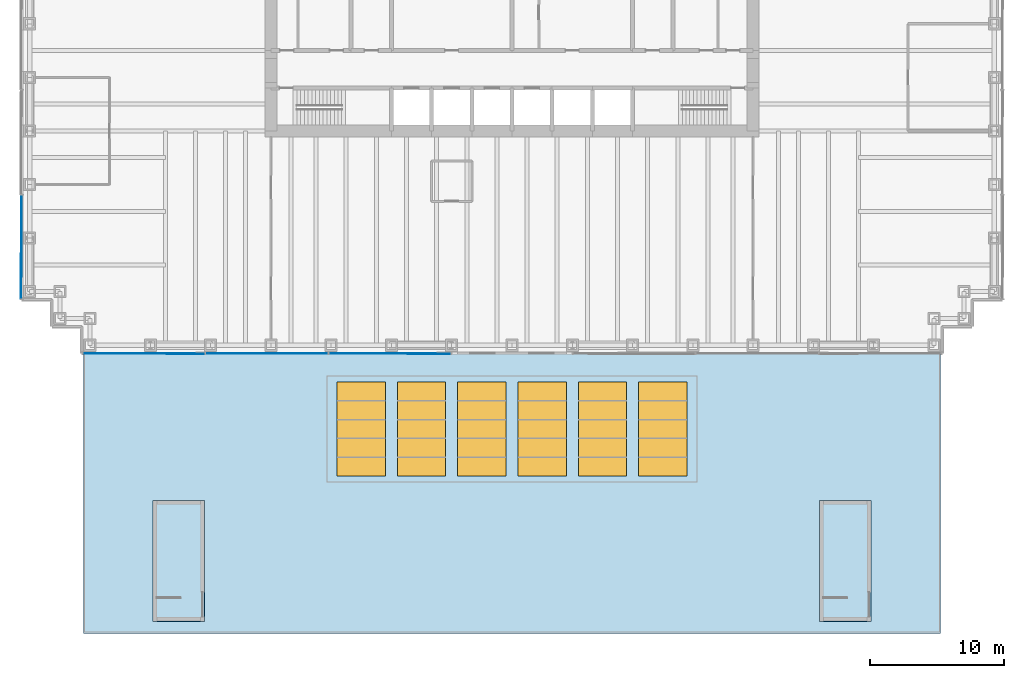
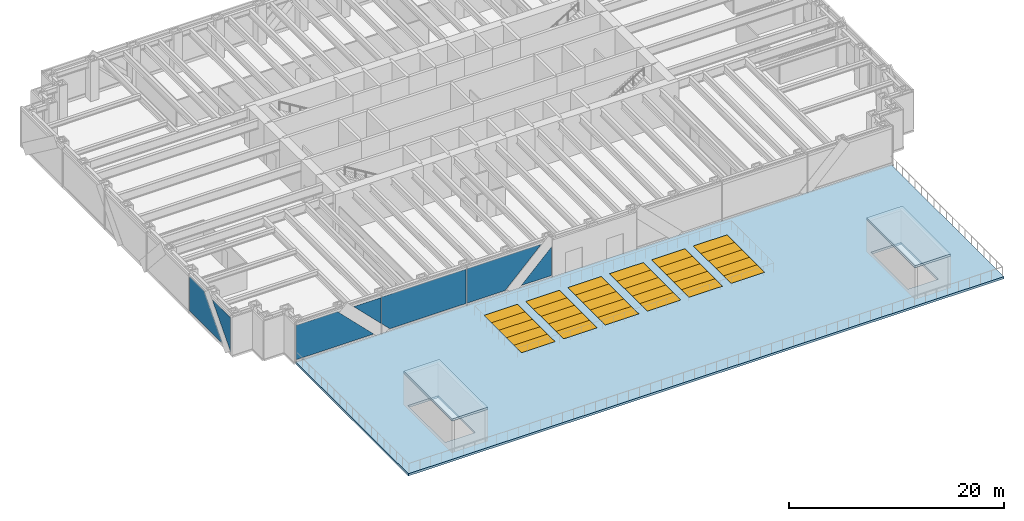
# One storey, part 9 of 15: 30 windows, 7 plates, 3 slabs, 30 openings, 2 elements without a shape of their own.
"""IFC4 building model written with IfcOpenShell, lengths in metres."""

from ifc_helpers import new_model, si_unit, direction, frame, origin, origin_2d, place, context, subcontext, project, spatial, polyline, rectangle, outline, extrude, material, layer, layer_set, type_object, element, fill, aggregate, save


model = new_model("IFC4")

# Units and contexts
model_context = context("Model", 3, precision=1e-05, world=origin(), true_north=direction((0.0, 1.0)))
body_context = subcontext(model_context, "Body", "Model", "MODEL_VIEW")
ifc_project = project(units=[si_unit("LENGTHUNIT", "METRE"), si_unit("AREAUNIT", "SQUARE_METRE"), si_unit("VOLUMEUNIT", "CUBIC_METRE"), si_unit("PLANEANGLEUNIT", "RADIAN"), si_unit("MASSUNIT", "GRAM", prefix="KILO")], contexts=[model_context])

# Site, building, storey
site_placement = place(None, origin())
site = spatial("IfcSite", under=ifc_project, at=site_placement, CompositionType="ELEMENT")
building_placement = place(site_placement, origin())
building = spatial("IfcBuilding", under=site, at=building_placement, Name="Rheinbord Bourse Tower", CompositionType="ELEMENT")
storey_placement = place(building_placement, frame((0.0, 0.0, 23.0)))
storey = spatial("IfcBuildingStorey", under=building, at=storey_placement, Name="L04", CompositionType="ELEMENT", Elevation=23.0)

# Curtain wall, plates
ifc_material_1 = material(Name="Dark glass and black aluminium", Category="aluminium")
curtain_wall_type = type_object("IfcCurtainWallType", Name="CW1 DARK GLASS CURTAIN WALL", PredefinedType="USERDEFINED", material=ifc_material_1)
curtain_wall_1_placement = place(storey_placement, origin())
curtain_wall_1 = element("IfcCurtainWall", 1, at=curtain_wall_1_placement, inside=storey, type_object=curtain_wall_type, Name="Curtain wall CW1 S L04", ObjectType="UNITISED CURTAIN WALL", PredefinedType="USERDEFINED")
ifc_material_2 = material(Name="Dark tinted triple insulating glass", Category="glass")
ifc_layer_1 = layer(ifc_material_2, 0.0439453125)
ifc_layer_set_1 = layer_set([ifc_layer_1], Name="CW1 DARK GLASS PANEL")
plate_type = type_object("IfcPlateType", Name="CW1 DARK GLASS PANEL", PredefinedType="CURTAIN_PANEL", material=ifc_layer_set_1)
plate_1_placement = place(storey_placement, frame((3.97998046875, -0.6220703125, 0.300048828125), z_axis=(0.0, 1.0, 0.0), x_axis=(0.0, 0.0, 1.0)))
plate_1 = element("IfcPlate", 2, at=plate_1_placement, type_object=plate_type, Name="CW1 glass facet 1", PredefinedType="CURTAIN_PANEL", context=body_context, shape_type="SweptSolid", body=[
    extrude(outline(polyline([(0.0, 0.0), (3.89990234375, 0.0), (3.89990234375, 4.464111328125), (0.0, 8.364013671875), (0.0, 0.0)])), origin(), (0.0, 0.0, 1.0), 0.0439453125),
])
plate_2_placement = place(storey_placement, frame((13.06005859375, -0.6708984375, 4.199951171875), z_axis=(0.0, 1.0, 0.0), x_axis=(0.0, 0.0, -1.0)))
plate_2 = element("IfcPlate", 3, at=plate_2_placement, type_object=plate_type, Name="CW1 glass facet 2", PredefinedType="CURTAIN_PANEL", context=body_context, shape_type="SweptSolid", body=[
    extrude(outline(polyline([(0.0, 0.0), (2.904052734375, 0.0), (0.0, 2.904052734375), (0.0, 0.0)])), origin(), (0.0, 0.0, 1.0), 0.0439453125),
])
plate_3_placement = place(storey_placement, frame((13.139892578125, -0.6220703125, 4.199951171875), z_axis=(0.0, 1.0, 0.0), x_axis=(1.0, 0.0, 0.0)))
plate_3 = element("IfcPlate", 4, at=plate_3_placement, type_object=plate_type, Name="CW1 glass facet 1", PredefinedType="CURTAIN_PANEL", context=body_context, shape_type="SweptSolid", body=[
    extrude(outline(polyline([(0.0, 0.0), (9.1201171875, 0.0), (9.1201171875, 3.89990234375), (0.916015625, 3.89990234375), (0.0, 2.98388671875), (0.0, 0.0)])), origin(), (0.0, 0.0, 1.0), 0.0439453125),
])
plate_4_placement = place(storey_placement, frame((22.340087890625, -0.6220703125, 0.300048828125), z_axis=(0.0, 1.0, 0.0), x_axis=(0.0, 0.0, 1.0)))
plate_4 = element("IfcPlate", 5, at=plate_4_placement, type_object=plate_type, Name="CW1 glass facet 1", PredefinedType="CURTAIN_PANEL", context=body_context, shape_type="SweptSolid", body=[
    extrude(outline(polyline([(0.0, 0.0), (3.89990234375, 0.0), (3.89990234375, 8.00390625), (0.0, 4.10400390625), (0.0, 0.0)])), origin(), (0.0, 0.0, 1.0), 0.0439453125),
])
plate_5_placement = place(storey_placement, frame((31.419921875, -0.6708984375, 0.300048828125), z_axis=(0.0, 1.0, 0.0), x_axis=(-1.0, 0.0, 0.0)))
plate_5 = element("IfcPlate", 6, at=plate_5_placement, type_object=plate_type, Name="CW1 glass facet 2", PredefinedType="CURTAIN_PANEL", context=body_context, shape_type="SweptSolid", body=[
    extrude(outline(polyline([(0.0, 0.0), (3.263916015625, 0.0), (0.0, 3.263916015625), (0.0, 0.0)])), origin(), (0.0, 0.0, 1.0), 0.0439453125),
])
aggregate(curtain_wall_1, [plate_1, plate_2, plate_3, plate_4, plate_5])

curtain_wall_2_placement = place(storey_placement, origin())
curtain_wall_2 = element("IfcCurtainWall", 7, at=curtain_wall_2_placement, inside=storey, type_object=curtain_wall_type, Name="Curtain wall CW1 W L04", ObjectType="UNITISED CURTAIN WALL", PredefinedType="USERDEFINED")
plate_6_placement = place(storey_placement, frame((-0.6220703125, 11.199951171875, 0.300048828125), z_axis=(1.0, 0.0, 0.0), x_axis=(0.0, 0.0, 1.0)))
plate_6 = element("IfcPlate", 8, at=plate_6_placement, type_object=plate_type, Name="CW1 glass facet 1", PredefinedType="CURTAIN_PANEL", context=body_context, shape_type="SweptSolid", body=[
    extrude(outline(polyline([(0.0, 0.0), (3.89990234375, 0.0), (3.89990234375, 2.656982421875), (0.0, 6.1240234375), (0.0, 0.0)])), origin(), (0.0, 0.0, 1.0), 0.0439453125),
])
plate_7_placement = place(storey_placement, frame((-0.6708984375, 3.47998046875, 4.199951171875), z_axis=(1.0, 0.0, 0.0), x_axis=(0.0, 0.0, -1.0)))
plate_7 = element("IfcPlate", 9, at=plate_7_placement, type_object=plate_type, Name="CW1 glass facet 2", PredefinedType="CURTAIN_PANEL", context=body_context, shape_type="SweptSolid", body=[
    extrude(outline(polyline([(0.0, 0.0), (3.8740234375, 0.0), (0.0, 3.444091796875), (0.0, 0.0)])), origin(), (0.0, 0.0, 1.0), 0.0439453125),
])
aggregate(curtain_wall_2, [plate_6, plate_7])

# Slab, openings, windows
ifc_material_3 = material(Name="Concrete C30/37", Category="concrete")
ifc_layer_2 = layer(ifc_material_3, 0.25)
ifc_layer_set_2 = layer_set([ifc_layer_2], Name="ROOF SLAB 250")
slab_type = type_object("IfcSlabType", Name="ROOF SLAB 250", PredefinedType="ROOF", material=ifc_layer_set_2)
slab_1_placement = place(storey_placement, frame((0.0, 0.0, -0.25)))
slab_1 = element("IfcSlab", 10, at=slab_1_placement, inside=storey, type_object=slab_type, Name="Podium roof terrace", PredefinedType="ROOF", context=body_context, shape_type="SweptSolid", body=[
    extrude(outline(polyline([(68.0, -21.5), (68.0, -0.5), (4.0, -0.5), (4.0, -21.5), (68.0, -21.5)]), holes=[polyline([(12.75, -18.800048828125), (12.75, -11.89990234375), (9.5, -11.89990234375), (9.5, -18.800048828125), (12.75, -18.800048828125)]), polyline([(62.5, -18.800048828125), (62.5, -11.89990234375), (59.25, -11.89990234375), (59.25, -18.800048828125), (62.5, -18.800048828125)])]), origin(), (0.0, 0.0, 1.0), 0.25),
])
opening_1_placement = place(slab_1_placement, frame((24.75, -9.050048828125, 0.0)))
opening_1 = element("IfcOpeningElement", 11, at=opening_1_placement, cuts=slab_1, Name="Opening SK1", PredefinedType="OPENING", context=body_context, shape_type="SweptSolid", body=[
    extrude(rectangle(XDim=3.60009765625, YDim=1.39990234375, at=origin_2d()), origin(), (0.0, 0.0, 1.0), 0.25),
])
opening_2_placement = place(slab_1_placement, frame((24.75, -7.64990234375, 0.0)))
opening_2 = element("IfcOpeningElement", 12, at=opening_2_placement, cuts=slab_1, Name="Opening SK1", PredefinedType="OPENING", context=body_context, shape_type="SweptSolid", body=[
    extrude(rectangle(XDim=3.60009765625, YDim=1.39990234375, at=origin_2d()), origin(), (0.0, 0.0, 1.0), 0.25),
])
opening_3_placement = place(slab_1_placement, frame((24.75, -6.25, 0.0)))
opening_3 = element("IfcOpeningElement", 13, at=opening_3_placement, cuts=slab_1, Name="Opening SK1", PredefinedType="OPENING", context=body_context, shape_type="SweptSolid", body=[
    extrude(rectangle(XDim=3.60009765625, YDim=1.39990234375, at=origin_2d()), origin(), (0.0, 0.0, 1.0), 0.25),
])
opening_4_placement = place(slab_1_placement, frame((24.75, -4.85009765625, 0.0)))
opening_4 = element("IfcOpeningElement", 14, at=opening_4_placement, cuts=slab_1, Name="Opening SK1", PredefinedType="OPENING", context=body_context, shape_type="SweptSolid", body=[
    extrude(rectangle(XDim=3.60009765625, YDim=1.39990234375, at=origin_2d()), origin(), (0.0, 0.0, 1.0), 0.25),
])
opening_5_placement = place(slab_1_placement, frame((24.75, -3.449951171875, 0.0)))
opening_5 = element("IfcOpeningElement", 15, at=opening_5_placement, cuts=slab_1, Name="Opening SK1", PredefinedType="OPENING", context=body_context, shape_type="SweptSolid", body=[
    extrude(rectangle(XDim=3.60009765625, YDim=1.39990234375, at=origin_2d()), origin(), (0.0, 0.0, 1.0), 0.25),
])
opening_6_placement = place(slab_1_placement, frame((29.25, -9.050048828125, 0.0)))
opening_6 = element("IfcOpeningElement", 16, at=opening_6_placement, cuts=slab_1, Name="Opening SK1", PredefinedType="OPENING", context=body_context, shape_type="SweptSolid", body=[
    extrude(rectangle(XDim=3.60009765625, YDim=1.39990234375, at=origin_2d()), origin(), (0.0, 0.0, 1.0), 0.25),
])
opening_7_placement = place(slab_1_placement, frame((29.25, -7.64990234375, 0.0)))
opening_7 = element("IfcOpeningElement", 17, at=opening_7_placement, cuts=slab_1, Name="Opening SK1", PredefinedType="OPENING", context=body_context, shape_type="SweptSolid", body=[
    extrude(rectangle(XDim=3.60009765625, YDim=1.39990234375, at=origin_2d()), origin(), (0.0, 0.0, 1.0), 0.25),
])
opening_8_placement = place(slab_1_placement, frame((29.25, -6.25, 0.0)))
opening_8 = element("IfcOpeningElement", 18, at=opening_8_placement, cuts=slab_1, Name="Opening SK1", PredefinedType="OPENING", context=body_context, shape_type="SweptSolid", body=[
    extrude(rectangle(XDim=3.60009765625, YDim=1.39990234375, at=origin_2d()), origin(), (0.0, 0.0, 1.0), 0.25),
])
opening_9_placement = place(slab_1_placement, frame((29.25, -4.85009765625, 0.0)))
opening_9 = element("IfcOpeningElement", 19, at=opening_9_placement, cuts=slab_1, Name="Opening SK1", PredefinedType="OPENING", context=body_context, shape_type="SweptSolid", body=[
    extrude(rectangle(XDim=3.60009765625, YDim=1.39990234375, at=origin_2d()), origin(), (0.0, 0.0, 1.0), 0.25),
])
opening_10_placement = place(slab_1_placement, frame((29.25, -3.449951171875, 0.0)))
opening_10 = element("IfcOpeningElement", 20, at=opening_10_placement, cuts=slab_1, Name="Opening SK1", PredefinedType="OPENING", context=body_context, shape_type="SweptSolid", body=[
    extrude(rectangle(XDim=3.60009765625, YDim=1.39990234375, at=origin_2d()), origin(), (0.0, 0.0, 1.0), 0.25),
])
opening_11_placement = place(slab_1_placement, frame((33.75, -9.050048828125, 0.0)))
opening_11 = element("IfcOpeningElement", 21, at=opening_11_placement, cuts=slab_1, Name="Opening SK1", PredefinedType="OPENING", context=body_context, shape_type="SweptSolid", body=[
    extrude(rectangle(XDim=3.60009765625, YDim=1.39990234375, at=origin_2d()), origin(), (0.0, 0.0, 1.0), 0.25),
])
opening_12_placement = place(slab_1_placement, frame((33.75, -7.64990234375, 0.0)))
opening_12 = element("IfcOpeningElement", 22, at=opening_12_placement, cuts=slab_1, Name="Opening SK1", PredefinedType="OPENING", context=body_context, shape_type="SweptSolid", body=[
    extrude(rectangle(XDim=3.60009765625, YDim=1.39990234375, at=origin_2d()), origin(), (0.0, 0.0, 1.0), 0.25),
])
opening_13_placement = place(slab_1_placement, frame((33.75, -6.25, 0.0)))
opening_13 = element("IfcOpeningElement", 23, at=opening_13_placement, cuts=slab_1, Name="Opening SK1", PredefinedType="OPENING", context=body_context, shape_type="SweptSolid", body=[
    extrude(rectangle(XDim=3.60009765625, YDim=1.39990234375, at=origin_2d()), origin(), (0.0, 0.0, 1.0), 0.25),
])
opening_14_placement = place(slab_1_placement, frame((33.75, -4.85009765625, 0.0)))
opening_14 = element("IfcOpeningElement", 24, at=opening_14_placement, cuts=slab_1, Name="Opening SK1", PredefinedType="OPENING", context=body_context, shape_type="SweptSolid", body=[
    extrude(rectangle(XDim=3.60009765625, YDim=1.39990234375, at=origin_2d()), origin(), (0.0, 0.0, 1.0), 0.25),
])
opening_15_placement = place(slab_1_placement, frame((33.75, -3.449951171875, 0.0)))
opening_15 = element("IfcOpeningElement", 25, at=opening_15_placement, cuts=slab_1, Name="Opening SK1", PredefinedType="OPENING", context=body_context, shape_type="SweptSolid", body=[
    extrude(rectangle(XDim=3.60009765625, YDim=1.39990234375, at=origin_2d()), origin(), (0.0, 0.0, 1.0), 0.25),
])
opening_16_placement = place(slab_1_placement, frame((38.25, -9.050048828125, 0.0)))
opening_16 = element("IfcOpeningElement", 26, at=opening_16_placement, cuts=slab_1, Name="Opening SK1", PredefinedType="OPENING", context=body_context, shape_type="SweptSolid", body=[
    extrude(rectangle(XDim=3.60009765625, YDim=1.39990234375, at=origin_2d()), origin(), (0.0, 0.0, 1.0), 0.25),
])
opening_17_placement = place(slab_1_placement, frame((38.25, -7.64990234375, 0.0)))
opening_17 = element("IfcOpeningElement", 27, at=opening_17_placement, cuts=slab_1, Name="Opening SK1", PredefinedType="OPENING", context=body_context, shape_type="SweptSolid", body=[
    extrude(rectangle(XDim=3.60009765625, YDim=1.39990234375, at=origin_2d()), origin(), (0.0, 0.0, 1.0), 0.25),
])
opening_18_placement = place(slab_1_placement, frame((38.25, -6.25, 0.0)))
opening_18 = element("IfcOpeningElement", 28, at=opening_18_placement, cuts=slab_1, Name="Opening SK1", PredefinedType="OPENING", context=body_context, shape_type="SweptSolid", body=[
    extrude(rectangle(XDim=3.60009765625, YDim=1.39990234375, at=origin_2d()), origin(), (0.0, 0.0, 1.0), 0.25),
])
opening_19_placement = place(slab_1_placement, frame((38.25, -4.85009765625, 0.0)))
opening_19 = element("IfcOpeningElement", 29, at=opening_19_placement, cuts=slab_1, Name="Opening SK1", PredefinedType="OPENING", context=body_context, shape_type="SweptSolid", body=[
    extrude(rectangle(XDim=3.60009765625, YDim=1.39990234375, at=origin_2d()), origin(), (0.0, 0.0, 1.0), 0.25),
])
opening_20_placement = place(slab_1_placement, frame((38.25, -3.449951171875, 0.0)))
opening_20 = element("IfcOpeningElement", 30, at=opening_20_placement, cuts=slab_1, Name="Opening SK1", PredefinedType="OPENING", context=body_context, shape_type="SweptSolid", body=[
    extrude(rectangle(XDim=3.60009765625, YDim=1.39990234375, at=origin_2d()), origin(), (0.0, 0.0, 1.0), 0.25),
])
opening_21_placement = place(slab_1_placement, frame((42.75, -9.050048828125, 0.0)))
opening_21 = element("IfcOpeningElement", 31, at=opening_21_placement, cuts=slab_1, Name="Opening SK1", PredefinedType="OPENING", context=body_context, shape_type="SweptSolid", body=[
    extrude(rectangle(XDim=3.60009765625, YDim=1.39990234375, at=origin_2d()), origin(), (0.0, 0.0, 1.0), 0.25),
])
opening_22_placement = place(slab_1_placement, frame((42.75, -7.64990234375, 0.0)))
opening_22 = element("IfcOpeningElement", 32, at=opening_22_placement, cuts=slab_1, Name="Opening SK1", PredefinedType="OPENING", context=body_context, shape_type="SweptSolid", body=[
    extrude(rectangle(XDim=3.60009765625, YDim=1.39990234375, at=origin_2d()), origin(), (0.0, 0.0, 1.0), 0.25),
])
opening_23_placement = place(slab_1_placement, frame((42.75, -6.25, 0.0)))
opening_23 = element("IfcOpeningElement", 33, at=opening_23_placement, cuts=slab_1, Name="Opening SK1", PredefinedType="OPENING", context=body_context, shape_type="SweptSolid", body=[
    extrude(rectangle(XDim=3.60009765625, YDim=1.39990234375, at=origin_2d()), origin(), (0.0, 0.0, 1.0), 0.25),
])
opening_24_placement = place(slab_1_placement, frame((42.75, -4.85009765625, 0.0)))
opening_24 = element("IfcOpeningElement", 34, at=opening_24_placement, cuts=slab_1, Name="Opening SK1", PredefinedType="OPENING", context=body_context, shape_type="SweptSolid", body=[
    extrude(rectangle(XDim=3.60009765625, YDim=1.39990234375, at=origin_2d()), origin(), (0.0, 0.0, 1.0), 0.25),
])
opening_25_placement = place(slab_1_placement, frame((42.75, -3.449951171875, 0.0)))
opening_25 = element("IfcOpeningElement", 35, at=opening_25_placement, cuts=slab_1, Name="Opening SK1", PredefinedType="OPENING", context=body_context, shape_type="SweptSolid", body=[
    extrude(rectangle(XDim=3.60009765625, YDim=1.39990234375, at=origin_2d()), origin(), (0.0, 0.0, 1.0), 0.25),
])
opening_26_placement = place(slab_1_placement, frame((47.25, -9.050048828125, 0.0)))
opening_26 = element("IfcOpeningElement", 36, at=opening_26_placement, cuts=slab_1, Name="Opening SK1", PredefinedType="OPENING", context=body_context, shape_type="SweptSolid", body=[
    extrude(rectangle(XDim=3.60009765625, YDim=1.39990234375, at=origin_2d()), origin(), (0.0, 0.0, 1.0), 0.25),
])
opening_27_placement = place(slab_1_placement, frame((47.25, -7.64990234375, 0.0)))
opening_27 = element("IfcOpeningElement", 37, at=opening_27_placement, cuts=slab_1, Name="Opening SK1", PredefinedType="OPENING", context=body_context, shape_type="SweptSolid", body=[
    extrude(rectangle(XDim=3.60009765625, YDim=1.39990234375, at=origin_2d()), origin(), (0.0, 0.0, 1.0), 0.25),
])
opening_28_placement = place(slab_1_placement, frame((47.25, -6.25, 0.0)))
opening_28 = element("IfcOpeningElement", 38, at=opening_28_placement, cuts=slab_1, Name="Opening SK1", PredefinedType="OPENING", context=body_context, shape_type="SweptSolid", body=[
    extrude(rectangle(XDim=3.60009765625, YDim=1.39990234375, at=origin_2d()), origin(), (0.0, 0.0, 1.0), 0.25),
])
opening_29_placement = place(slab_1_placement, frame((47.25, -4.85009765625, 0.0)))
opening_29 = element("IfcOpeningElement", 39, at=opening_29_placement, cuts=slab_1, Name="Opening SK1", PredefinedType="OPENING", context=body_context, shape_type="SweptSolid", body=[
    extrude(rectangle(XDim=3.60009765625, YDim=1.39990234375, at=origin_2d()), origin(), (0.0, 0.0, 1.0), 0.25),
])
opening_30_placement = place(slab_1_placement, frame((47.25, -3.449951171875, 0.0)))
opening_30 = element("IfcOpeningElement", 40, at=opening_30_placement, cuts=slab_1, Name="Opening SK1", PredefinedType="OPENING", context=body_context, shape_type="SweptSolid", body=[
    extrude(rectangle(XDim=3.60009765625, YDim=1.39990234375, at=origin_2d()), origin(), (0.0, 0.0, 1.0), 0.25),
])
ifc_material_4 = material(Name="Dark tinted insulating glass", Category="glass")
window_type = type_object("IfcWindowType", Name="SKYLIGHT 3600x1400", PartitioningType="SINGLE_PANEL", PredefinedType="SKYLIGHT", material=ifc_material_4)
window_1_placement = place(opening_1_placement, frame((0.0, 0.0, 0.199951171875)))
window_1 = element("IfcWindow", 41, at=window_1_placement, inside=storey, type_object=window_type, Name="Atrium skylight 1 pane 1", OverallHeight=1.39990234375, OverallWidth=3.60009765625, PartitioningType="SINGLE_PANEL", PredefinedType="SKYLIGHT", context=body_context, shape_type="SweptSolid", body=[
    extrude(rectangle(XDim=3.60009765625, YDim=1.39990234375, at=origin_2d()), origin(), (0.0, 0.0, 1.0), 0.050048828125),
])
fill(opening_1, window_1)
window_2_placement = place(opening_2_placement, frame((0.0, 0.0, 0.199951171875)))
window_2 = element("IfcWindow", 42, at=window_2_placement, inside=storey, type_object=window_type, Name="Atrium skylight 1 pane 2", OverallHeight=1.39990234375, OverallWidth=3.60009765625, PartitioningType="SINGLE_PANEL", PredefinedType="SKYLIGHT", context=body_context, shape_type="SweptSolid", body=[
    extrude(rectangle(XDim=3.60009765625, YDim=1.39990234375, at=origin_2d()), origin(), (0.0, 0.0, 1.0), 0.050048828125),
])
fill(opening_2, window_2)
window_3_placement = place(opening_3_placement, frame((0.0, 0.0, 0.199951171875)))
window_3 = element("IfcWindow", 43, at=window_3_placement, inside=storey, type_object=window_type, Name="Atrium skylight 1 pane 3", OverallHeight=1.39990234375, OverallWidth=3.60009765625, PartitioningType="SINGLE_PANEL", PredefinedType="SKYLIGHT", context=body_context, shape_type="SweptSolid", body=[
    extrude(rectangle(XDim=3.60009765625, YDim=1.39990234375, at=origin_2d()), origin(), (0.0, 0.0, 1.0), 0.050048828125),
])
fill(opening_3, window_3)
window_4_placement = place(opening_4_placement, frame((0.0, 0.0, 0.199951171875)))
window_4 = element("IfcWindow", 44, at=window_4_placement, inside=storey, type_object=window_type, Name="Atrium skylight 1 pane 4", OverallHeight=1.39990234375, OverallWidth=3.60009765625, PartitioningType="SINGLE_PANEL", PredefinedType="SKYLIGHT", context=body_context, shape_type="SweptSolid", body=[
    extrude(rectangle(XDim=3.60009765625, YDim=1.39990234375, at=origin_2d()), origin(), (0.0, 0.0, 1.0), 0.050048828125),
])
fill(opening_4, window_4)
window_5_placement = place(opening_5_placement, frame((0.0, 0.0, 0.199951171875)))
window_5 = element("IfcWindow", 45, at=window_5_placement, inside=storey, type_object=window_type, Name="Atrium skylight 1 pane 5", OverallHeight=1.39990234375, OverallWidth=3.60009765625, PartitioningType="SINGLE_PANEL", PredefinedType="SKYLIGHT", context=body_context, shape_type="SweptSolid", body=[
    extrude(rectangle(XDim=3.60009765625, YDim=1.39990234375, at=origin_2d()), origin(), (0.0, 0.0, 1.0), 0.050048828125),
])
fill(opening_5, window_5)
window_6_placement = place(opening_6_placement, frame((0.0, 0.0, 0.199951171875)))
window_6 = element("IfcWindow", 46, at=window_6_placement, inside=storey, type_object=window_type, Name="Atrium skylight 2 pane 1", OverallHeight=1.39990234375, OverallWidth=3.60009765625, PartitioningType="SINGLE_PANEL", PredefinedType="SKYLIGHT", context=body_context, shape_type="SweptSolid", body=[
    extrude(rectangle(XDim=3.60009765625, YDim=1.39990234375, at=origin_2d()), origin(), (0.0, 0.0, 1.0), 0.050048828125),
])
fill(opening_6, window_6)
window_7_placement = place(opening_7_placement, frame((0.0, 0.0, 0.199951171875)))
window_7 = element("IfcWindow", 47, at=window_7_placement, inside=storey, type_object=window_type, Name="Atrium skylight 2 pane 2", OverallHeight=1.39990234375, OverallWidth=3.60009765625, PartitioningType="SINGLE_PANEL", PredefinedType="SKYLIGHT", context=body_context, shape_type="SweptSolid", body=[
    extrude(rectangle(XDim=3.60009765625, YDim=1.39990234375, at=origin_2d()), origin(), (0.0, 0.0, 1.0), 0.050048828125),
])
fill(opening_7, window_7)
window_8_placement = place(opening_8_placement, frame((0.0, 0.0, 0.199951171875)))
window_8 = element("IfcWindow", 48, at=window_8_placement, inside=storey, type_object=window_type, Name="Atrium skylight 2 pane 3", OverallHeight=1.39990234375, OverallWidth=3.60009765625, PartitioningType="SINGLE_PANEL", PredefinedType="SKYLIGHT", context=body_context, shape_type="SweptSolid", body=[
    extrude(rectangle(XDim=3.60009765625, YDim=1.39990234375, at=origin_2d()), origin(), (0.0, 0.0, 1.0), 0.050048828125),
])
fill(opening_8, window_8)
window_9_placement = place(opening_9_placement, frame((0.0, 0.0, 0.199951171875)))
window_9 = element("IfcWindow", 49, at=window_9_placement, inside=storey, type_object=window_type, Name="Atrium skylight 2 pane 4", OverallHeight=1.39990234375, OverallWidth=3.60009765625, PartitioningType="SINGLE_PANEL", PredefinedType="SKYLIGHT", context=body_context, shape_type="SweptSolid", body=[
    extrude(rectangle(XDim=3.60009765625, YDim=1.39990234375, at=origin_2d()), origin(), (0.0, 0.0, 1.0), 0.050048828125),
])
fill(opening_9, window_9)
window_10_placement = place(opening_10_placement, frame((0.0, 0.0, 0.199951171875)))
window_10 = element("IfcWindow", 50, at=window_10_placement, inside=storey, type_object=window_type, Name="Atrium skylight 2 pane 5", OverallHeight=1.39990234375, OverallWidth=3.60009765625, PartitioningType="SINGLE_PANEL", PredefinedType="SKYLIGHT", context=body_context, shape_type="SweptSolid", body=[
    extrude(rectangle(XDim=3.60009765625, YDim=1.39990234375, at=origin_2d()), origin(), (0.0, 0.0, 1.0), 0.050048828125),
])
fill(opening_10, window_10)
window_11_placement = place(opening_11_placement, frame((0.0, 0.0, 0.199951171875)))
window_11 = element("IfcWindow", 51, at=window_11_placement, inside=storey, type_object=window_type, Name="Atrium skylight 3 pane 1", OverallHeight=1.39990234375, OverallWidth=3.60009765625, PartitioningType="SINGLE_PANEL", PredefinedType="SKYLIGHT", context=body_context, shape_type="SweptSolid", body=[
    extrude(rectangle(XDim=3.60009765625, YDim=1.39990234375, at=origin_2d()), origin(), (0.0, 0.0, 1.0), 0.050048828125),
])
fill(opening_11, window_11)
window_12_placement = place(opening_12_placement, frame((0.0, 0.0, 0.199951171875)))
window_12 = element("IfcWindow", 52, at=window_12_placement, inside=storey, type_object=window_type, Name="Atrium skylight 3 pane 2", OverallHeight=1.39990234375, OverallWidth=3.60009765625, PartitioningType="SINGLE_PANEL", PredefinedType="SKYLIGHT", context=body_context, shape_type="SweptSolid", body=[
    extrude(rectangle(XDim=3.60009765625, YDim=1.39990234375, at=origin_2d()), origin(), (0.0, 0.0, 1.0), 0.050048828125),
])
fill(opening_12, window_12)
window_13_placement = place(opening_13_placement, frame((0.0, 0.0, 0.199951171875)))
window_13 = element("IfcWindow", 53, at=window_13_placement, inside=storey, type_object=window_type, Name="Atrium skylight 3 pane 3", OverallHeight=1.39990234375, OverallWidth=3.60009765625, PartitioningType="SINGLE_PANEL", PredefinedType="SKYLIGHT", context=body_context, shape_type="SweptSolid", body=[
    extrude(rectangle(XDim=3.60009765625, YDim=1.39990234375, at=origin_2d()), origin(), (0.0, 0.0, 1.0), 0.050048828125),
])
fill(opening_13, window_13)
window_14_placement = place(opening_14_placement, frame((0.0, 0.0, 0.199951171875)))
window_14 = element("IfcWindow", 54, at=window_14_placement, inside=storey, type_object=window_type, Name="Atrium skylight 3 pane 4", OverallHeight=1.39990234375, OverallWidth=3.60009765625, PartitioningType="SINGLE_PANEL", PredefinedType="SKYLIGHT", context=body_context, shape_type="SweptSolid", body=[
    extrude(rectangle(XDim=3.60009765625, YDim=1.39990234375, at=origin_2d()), origin(), (0.0, 0.0, 1.0), 0.050048828125),
])
fill(opening_14, window_14)
window_15_placement = place(opening_15_placement, frame((0.0, 0.0, 0.199951171875)))
window_15 = element("IfcWindow", 55, at=window_15_placement, inside=storey, type_object=window_type, Name="Atrium skylight 3 pane 5", OverallHeight=1.39990234375, OverallWidth=3.60009765625, PartitioningType="SINGLE_PANEL", PredefinedType="SKYLIGHT", context=body_context, shape_type="SweptSolid", body=[
    extrude(rectangle(XDim=3.60009765625, YDim=1.39990234375, at=origin_2d()), origin(), (0.0, 0.0, 1.0), 0.050048828125),
])
fill(opening_15, window_15)
window_16_placement = place(opening_16_placement, frame((0.0, 0.0, 0.199951171875)))
window_16 = element("IfcWindow", 56, at=window_16_placement, inside=storey, type_object=window_type, Name="Atrium skylight 4 pane 1", OverallHeight=1.39990234375, OverallWidth=3.60009765625, PartitioningType="SINGLE_PANEL", PredefinedType="SKYLIGHT", context=body_context, shape_type="SweptSolid", body=[
    extrude(rectangle(XDim=3.60009765625, YDim=1.39990234375, at=origin_2d()), origin(), (0.0, 0.0, 1.0), 0.050048828125),
])
fill(opening_16, window_16)
window_17_placement = place(opening_17_placement, frame((0.0, 0.0, 0.199951171875)))
window_17 = element("IfcWindow", 57, at=window_17_placement, inside=storey, type_object=window_type, Name="Atrium skylight 4 pane 2", OverallHeight=1.39990234375, OverallWidth=3.60009765625, PartitioningType="SINGLE_PANEL", PredefinedType="SKYLIGHT", context=body_context, shape_type="SweptSolid", body=[
    extrude(rectangle(XDim=3.60009765625, YDim=1.39990234375, at=origin_2d()), origin(), (0.0, 0.0, 1.0), 0.050048828125),
])
fill(opening_17, window_17)
window_18_placement = place(opening_18_placement, frame((0.0, 0.0, 0.199951171875)))
window_18 = element("IfcWindow", 58, at=window_18_placement, inside=storey, type_object=window_type, Name="Atrium skylight 4 pane 3", OverallHeight=1.39990234375, OverallWidth=3.60009765625, PartitioningType="SINGLE_PANEL", PredefinedType="SKYLIGHT", context=body_context, shape_type="SweptSolid", body=[
    extrude(rectangle(XDim=3.60009765625, YDim=1.39990234375, at=origin_2d()), origin(), (0.0, 0.0, 1.0), 0.050048828125),
])
fill(opening_18, window_18)
window_19_placement = place(opening_19_placement, frame((0.0, 0.0, 0.199951171875)))
window_19 = element("IfcWindow", 59, at=window_19_placement, inside=storey, type_object=window_type, Name="Atrium skylight 4 pane 4", OverallHeight=1.39990234375, OverallWidth=3.60009765625, PartitioningType="SINGLE_PANEL", PredefinedType="SKYLIGHT", context=body_context, shape_type="SweptSolid", body=[
    extrude(rectangle(XDim=3.60009765625, YDim=1.39990234375, at=origin_2d()), origin(), (0.0, 0.0, 1.0), 0.050048828125),
])
fill(opening_19, window_19)
window_20_placement = place(opening_20_placement, frame((0.0, 0.0, 0.199951171875)))
window_20 = element("IfcWindow", 60, at=window_20_placement, inside=storey, type_object=window_type, Name="Atrium skylight 4 pane 5", OverallHeight=1.39990234375, OverallWidth=3.60009765625, PartitioningType="SINGLE_PANEL", PredefinedType="SKYLIGHT", context=body_context, shape_type="SweptSolid", body=[
    extrude(rectangle(XDim=3.60009765625, YDim=1.39990234375, at=origin_2d()), origin(), (0.0, 0.0, 1.0), 0.050048828125),
])
fill(opening_20, window_20)
window_21_placement = place(opening_21_placement, frame((0.0, 0.0, 0.199951171875)))
window_21 = element("IfcWindow", 61, at=window_21_placement, inside=storey, type_object=window_type, Name="Atrium skylight 5 pane 1", OverallHeight=1.39990234375, OverallWidth=3.60009765625, PartitioningType="SINGLE_PANEL", PredefinedType="SKYLIGHT", context=body_context, shape_type="SweptSolid", body=[
    extrude(rectangle(XDim=3.60009765625, YDim=1.39990234375, at=origin_2d()), origin(), (0.0, 0.0, 1.0), 0.050048828125),
])
fill(opening_21, window_21)
window_22_placement = place(opening_22_placement, frame((0.0, 0.0, 0.199951171875)))
window_22 = element("IfcWindow", 62, at=window_22_placement, inside=storey, type_object=window_type, Name="Atrium skylight 5 pane 2", OverallHeight=1.39990234375, OverallWidth=3.60009765625, PartitioningType="SINGLE_PANEL", PredefinedType="SKYLIGHT", context=body_context, shape_type="SweptSolid", body=[
    extrude(rectangle(XDim=3.60009765625, YDim=1.39990234375, at=origin_2d()), origin(), (0.0, 0.0, 1.0), 0.050048828125),
])
fill(opening_22, window_22)
window_23_placement = place(opening_23_placement, frame((0.0, 0.0, 0.199951171875)))
window_23 = element("IfcWindow", 63, at=window_23_placement, inside=storey, type_object=window_type, Name="Atrium skylight 5 pane 3", OverallHeight=1.39990234375, OverallWidth=3.60009765625, PartitioningType="SINGLE_PANEL", PredefinedType="SKYLIGHT", context=body_context, shape_type="SweptSolid", body=[
    extrude(rectangle(XDim=3.60009765625, YDim=1.39990234375, at=origin_2d()), origin(), (0.0, 0.0, 1.0), 0.050048828125),
])
fill(opening_23, window_23)
window_24_placement = place(opening_24_placement, frame((0.0, 0.0, 0.199951171875)))
window_24 = element("IfcWindow", 64, at=window_24_placement, inside=storey, type_object=window_type, Name="Atrium skylight 5 pane 4", OverallHeight=1.39990234375, OverallWidth=3.60009765625, PartitioningType="SINGLE_PANEL", PredefinedType="SKYLIGHT", context=body_context, shape_type="SweptSolid", body=[
    extrude(rectangle(XDim=3.60009765625, YDim=1.39990234375, at=origin_2d()), origin(), (0.0, 0.0, 1.0), 0.050048828125),
])
fill(opening_24, window_24)
window_25_placement = place(opening_25_placement, frame((0.0, 0.0, 0.199951171875)))
window_25 = element("IfcWindow", 65, at=window_25_placement, inside=storey, type_object=window_type, Name="Atrium skylight 5 pane 5", OverallHeight=1.39990234375, OverallWidth=3.60009765625, PartitioningType="SINGLE_PANEL", PredefinedType="SKYLIGHT", context=body_context, shape_type="SweptSolid", body=[
    extrude(rectangle(XDim=3.60009765625, YDim=1.39990234375, at=origin_2d()), origin(), (0.0, 0.0, 1.0), 0.050048828125),
])
fill(opening_25, window_25)
window_26_placement = place(opening_26_placement, frame((0.0, 0.0, 0.199951171875)))
window_26 = element("IfcWindow", 66, at=window_26_placement, inside=storey, type_object=window_type, Name="Atrium skylight 6 pane 1", OverallHeight=1.39990234375, OverallWidth=3.60009765625, PartitioningType="SINGLE_PANEL", PredefinedType="SKYLIGHT", context=body_context, shape_type="SweptSolid", body=[
    extrude(rectangle(XDim=3.60009765625, YDim=1.39990234375, at=origin_2d()), origin(), (0.0, 0.0, 1.0), 0.050048828125),
])
fill(opening_26, window_26)
window_27_placement = place(opening_27_placement, frame((0.0, 0.0, 0.199951171875)))
window_27 = element("IfcWindow", 67, at=window_27_placement, inside=storey, type_object=window_type, Name="Atrium skylight 6 pane 2", OverallHeight=1.39990234375, OverallWidth=3.60009765625, PartitioningType="SINGLE_PANEL", PredefinedType="SKYLIGHT", context=body_context, shape_type="SweptSolid", body=[
    extrude(rectangle(XDim=3.60009765625, YDim=1.39990234375, at=origin_2d()), origin(), (0.0, 0.0, 1.0), 0.050048828125),
])
fill(opening_27, window_27)
window_28_placement = place(opening_28_placement, frame((0.0, 0.0, 0.199951171875)))
window_28 = element("IfcWindow", 68, at=window_28_placement, inside=storey, type_object=window_type, Name="Atrium skylight 6 pane 3", OverallHeight=1.39990234375, OverallWidth=3.60009765625, PartitioningType="SINGLE_PANEL", PredefinedType="SKYLIGHT", context=body_context, shape_type="SweptSolid", body=[
    extrude(rectangle(XDim=3.60009765625, YDim=1.39990234375, at=origin_2d()), origin(), (0.0, 0.0, 1.0), 0.050048828125),
])
fill(opening_28, window_28)
window_29_placement = place(opening_29_placement, frame((0.0, 0.0, 0.199951171875)))
window_29 = element("IfcWindow", 69, at=window_29_placement, inside=storey, type_object=window_type, Name="Atrium skylight 6 pane 4", OverallHeight=1.39990234375, OverallWidth=3.60009765625, PartitioningType="SINGLE_PANEL", PredefinedType="SKYLIGHT", context=body_context, shape_type="SweptSolid", body=[
    extrude(rectangle(XDim=3.60009765625, YDim=1.39990234375, at=origin_2d()), origin(), (0.0, 0.0, 1.0), 0.050048828125),
])
fill(opening_29, window_29)
window_30_placement = place(opening_30_placement, frame((0.0, 0.0, 0.199951171875)))
window_30 = element("IfcWindow", 70, at=window_30_placement, inside=storey, type_object=window_type, Name="Atrium skylight 6 pane 5", OverallHeight=1.39990234375, OverallWidth=3.60009765625, PartitioningType="SINGLE_PANEL", PredefinedType="SKYLIGHT", context=body_context, shape_type="SweptSolid", body=[
    extrude(rectangle(XDim=3.60009765625, YDim=1.39990234375, at=origin_2d()), origin(), (0.0, 0.0, 1.0), 0.050048828125),
])
fill(opening_30, window_30)

# Slabs
slab_2_placement = place(storey_placement, frame((0.0, 0.0, 3.60009765625)))
element("IfcSlab", 71, at=slab_2_placement, inside=storey, type_object=slab_type, Name="Stair head-house roof ST5", PredefinedType="ROOF", context=body_context, shape_type="SweptSolid", body=[
    extrude(outline(polyline([(9.199951171875, -20.60009765625), (13.050048828125, -20.60009765625), (13.050048828125, -11.60009765625), (9.199951171875, -11.60009765625), (9.199951171875, -20.60009765625)])), origin(), (0.0, 0.0, 1.0), 0.25),
])
slab_3_placement = place(storey_placement, frame((0.0, 0.0, 3.60009765625)))
element("IfcSlab", 72, at=slab_3_placement, inside=storey, type_object=slab_type, Name="Stair head-house roof ST6", PredefinedType="ROOF", context=body_context, shape_type="SweptSolid", body=[
    extrude(outline(polyline([(58.949951171875, -20.60009765625), (62.800048828125, -20.60009765625), (62.800048828125, -11.60009765625), (58.949951171875, -11.60009765625), (58.949951171875, -20.60009765625)])), origin(), (0.0, 0.0, 1.0), 0.25),
])

save(model, "model.ifc")
